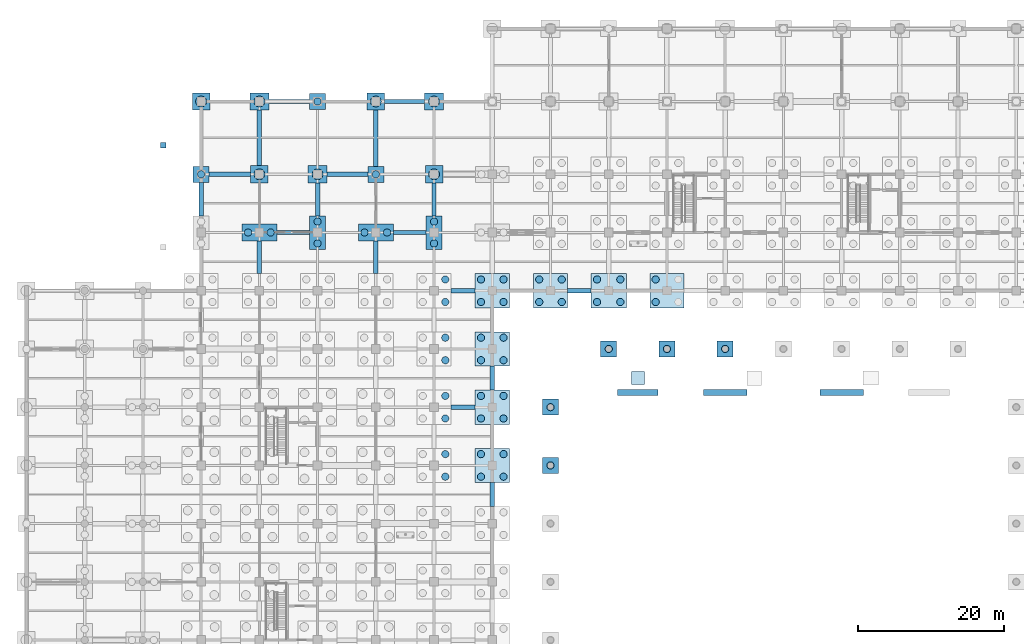
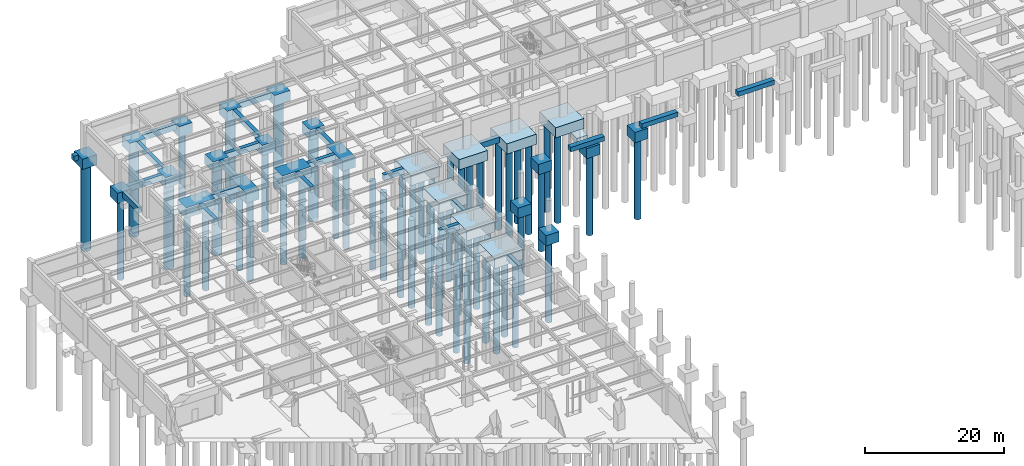
# One storey, part 15 of 97: 57 piles, 49 footings.
"""IFC4 building model written with IfcOpenShell, lengths in metres."""

from ifc_helpers import new_model, si_unit, direction, frame, origin, origin_2d, place, context, subcontext, project, spatial, rectangle, circle, extrude, material, layer, layer_set, material_profile, profile_set, type_object, element, save


model = new_model("IFC4")

# Units and contexts
model_context = context("Model", 3, precision=1e-05, world=origin(), true_north=direction((0.0, 1.0)))
body_context = subcontext(model_context, "Body", "Model", "MODEL_VIEW")
ifc_project = project(units=[si_unit("LENGTHUNIT", "METRE"), si_unit("AREAUNIT", "SQUARE_METRE"), si_unit("VOLUMEUNIT", "CUBIC_METRE"), si_unit("PLANEANGLEUNIT", "RADIAN"), si_unit("MASSUNIT", "GRAM", prefix="KILO")], contexts=[model_context])

# Site, building, storey
site_placement = place(None, origin())
site = spatial("IfcSite", under=ifc_project, at=site_placement, CompositionType="ELEMENT")
building_placement = place(site_placement, origin())
building = spatial("IfcBuilding", under=site, at=building_placement, Name="Haebicheon Civic Stadium", CompositionType="ELEMENT")
storey_placement = place(building_placement, frame((0.0, 0.0, -5.39990234375)))
storey = spatial("IfcBuildingStorey", under=building, at=storey_placement, Name="B1", CompositionType="ELEMENT", Elevation=-5.39990234375)

# Footings
ifc_material_1 = material(Name="Concrete C40/50", Category="concrete")
ifc_layer_1 = layer(ifc_material_1, 1.0, Name="Concrete C40/50")
ifc_layer_set_1 = layer_set([ifc_layer_1], Name="Concrete C40/50")
footing_type_1 = type_object("IfcFootingType", Name="FB-3200x600", PredefinedType="FOOTING_BEAM", material=ifc_layer_set_1)
footing_1_placement = place(storey_placement, frame((75.949951171875, 152.0, -1.0), z_axis=(0.0, 0.0, 1.0), x_axis=(1.0, 0.0, 0.0)))
element("IfcFooting", 1, at=footing_1_placement, inside=storey, type_object=footing_type_1, material=ifc_layer_set_1, Name="Ground tie beam X 09-19", PredefinedType="FOOTING_BEAM", context=body_context, shape_type="SweptSolid", body=[
    extrude(rectangle(XDim=3.199951171875, YDim=0.60009765625, at=origin_2d()), origin(), (0.0, 0.0, 1.0), 1.0),
])
ifc_material_2 = material(Name="Concrete C40/50", Category="concrete")
ifc_layer_2 = layer(ifc_material_2, 1.0, Name="Concrete C40/50")
ifc_layer_set_2 = layer_set([ifc_layer_2], Name="Concrete C40/50")
footing_type_2 = type_object("IfcFootingType", Name="FB-3300x600", PredefinedType="FOOTING_BEAM", material=ifc_layer_set_2)
for number, where, z_axis, x_axis, name in (
    (2, (60.0, 136.0, -1.0), (0.0, 0.0, 1.0), (1.0, 0.0, 0.0), "Ground tie beam X 07-17"),
    (3, (60.0, 152.0, -1.0), (0.0, 0.0, 1.0), (1.0, 0.0, 0.0), "Ground tie beam X 07-19"),
    (4, (64.0, 124.0, -1.0), (0.0, 0.0, 1.0), (0.0, 1.0, 0.0), "Ground tie beam Y 08-15"),
    (5, (64.0, 140.0, -1.0), (0.0, 0.0, 1.0), (0.0, 1.0, 0.0), "Ground tie beam Y 08-17"),
):
    element("IfcFooting", number, at=place(storey_placement, frame(where, z_axis=z_axis, x_axis=x_axis)), inside=storey, type_object=footing_type_2, material=ifc_layer_set_2, Name=name, PredefinedType="FOOTING_BEAM", context=body_context, shape_type="SweptSolid", body=[
        extrude(rectangle(XDim=3.300048828125, YDim=0.60009765625, at=origin_2d()), origin(), (0.0, 0.0, 1.0), 1.0),
    ])
ifc_material_3 = material(Name="Concrete C40/50", Category="concrete")
ifc_layer_3 = layer(ifc_material_3, 1.0, Name="Concrete C40/50")
ifc_layer_set_3 = layer_set([ifc_layer_3], Name="Concrete C40/50")
footing_type_3 = type_object("IfcFootingType", Name="FB-4450x600", PredefinedType="FOOTING_BEAM", material=ifc_layer_set_3)
for number, where, z_axis, x_axis, name in (
    (6, (32.0, 156.574951171875, -1.0), (0.0, 0.0, 1.0), (0.0, 1.0, 0.0), "Ground tie beam Y 04-19"),
    (7, (48.0, 156.574951171875, -1.0), (0.0, 0.0, 1.0), (0.0, 1.0, 0.0), "Ground tie beam Y 06-19"),
):
    element("IfcFooting", number, at=place(storey_placement, frame(where, z_axis=z_axis, x_axis=x_axis)), inside=storey, type_object=footing_type_3, material=ifc_layer_set_3, Name=name, PredefinedType="FOOTING_BEAM", context=body_context, shape_type="SweptSolid", body=[
        extrude(rectangle(XDim=4.449951171875, YDim=0.60009765625, at=origin_2d()), origin(), (0.0, 0.0, 1.0), 1.0),
    ])
ifc_material_4 = material(Name="Concrete C40/50", Category="concrete")
ifc_layer_4 = layer(ifc_material_4, 1.0, Name="Concrete C40/50")
ifc_layer_set_4 = layer_set([ifc_layer_4], Name="Concrete C40/50")
footing_type_4 = type_object("IfcFootingType", Name="FB-4500x600", PredefinedType="FOOTING_BEAM", material=ifc_layer_set_4)
for number, where, z_axis, x_axis, name in (
    (8, (36.64990234375, 160.0, -1.0), (0.0, 0.0, 1.0), (1.0, 0.0, 0.0), "Ground tie beam X 04-20"),
    (9, (40.0, 164.550048828125, -1.0), (0.0, 0.0, 1.0), (0.0, 1.0, 0.0), "Ground tie beam Y 05-20"),
    (10, (52.64990234375, 160.0, -1.0), (0.0, 0.0, 1.0), (1.0, 0.0, 0.0), "Ground tie beam X 06-20"),
    (11, (56.0, 164.550048828125, -1.0), (0.0, 0.0, 1.0), (0.0, 1.0, 0.0), "Ground tie beam Y 07-20"),
):
    element("IfcFooting", number, at=place(storey_placement, frame(where, z_axis=z_axis, x_axis=x_axis)), inside=storey, type_object=footing_type_4, material=ifc_layer_set_4, Name=name, PredefinedType="FOOTING_BEAM", context=body_context, shape_type="SweptSolid", body=[
        extrude(rectangle(XDim=4.5, YDim=0.60009765625, at=origin_2d()), origin(), (0.0, 0.0, 1.0), 1.0),
    ])
ifc_material_5 = material(Name="Concrete C40/50", Category="concrete")
ifc_layer_5 = layer(ifc_material_5, 1.0, Name="Concrete C40/50")
ifc_layer_set_5 = layer_set([ifc_layer_5], Name="Concrete C40/50")
footing_type_5 = type_object("IfcFootingType", Name="FB-4600x600", PredefinedType="FOOTING_BEAM", material=ifc_layer_set_5)
footing_2_placement = place(storey_placement, frame((24.0, 164.60009765625, -1.0), z_axis=(0.0, 0.0, 1.0), x_axis=(0.0, 1.0, 0.0)))
element("IfcFooting", 12, at=footing_2_placement, inside=storey, type_object=footing_type_5, material=ifc_layer_set_5, Name="Ground tie beam Y 03-20", PredefinedType="FOOTING_BEAM", context=body_context, shape_type="SweptSolid", body=[
    extrude(rectangle(XDim=4.60009765625, YDim=0.60009765625, at=origin_2d()), origin(), (0.0, 0.0, 1.0), 1.0),
])
ifc_material_6 = material(Name="Concrete C40/50", Category="concrete")
ifc_layer_6 = layer(ifc_material_6, 1.0, Name="Concrete C40/50")
ifc_layer_set_6 = layer_set([ifc_layer_6], Name="Concrete C40/50")
footing_type_6 = type_object("IfcFootingType", Name="FB-5500x600", PredefinedType="FOOTING_BEAM", material=ifc_layer_set_6)
footing_3_placement = place(storey_placement, frame((51.949951171875, 178.0, -1.0), z_axis=(0.0, 0.0, 1.0), x_axis=(1.0, 0.0, 0.0)))
element("IfcFooting", 13, at=footing_3_placement, inside=storey, type_object=footing_type_6, material=ifc_layer_set_6, Name="Ground tie beam X 06-22", PredefinedType="FOOTING_BEAM", context=body_context, shape_type="SweptSolid", body=[
    extrude(rectangle(XDim=5.5, YDim=0.60009765625, at=origin_2d()), origin(), (0.0, 0.0, 1.0), 1.0),
])
ifc_material_7 = material(Name="Concrete C40/50", Category="concrete")
ifc_layer_7 = layer(ifc_material_7, 1.0, Name="Concrete C40/50")
ifc_layer_set_7 = layer_set([ifc_layer_7], Name="Concrete C40/50")
footing_type_7 = type_object("IfcFootingType", Name="FB-5600x600", PredefinedType="FOOTING_BEAM", material=ifc_layer_set_7)
for number, where, z_axis, x_axis, name in (
    (14, (36.10009765625, 178.0, -1.0), (0.0, 0.0, 1.0), (1.0, 0.0, 0.0), "Ground tie beam X 04-22"),
    (15, (44.10009765625, 168.0, -1.0), (0.0, 0.0, 1.0), (1.0, 0.0, 0.0), "Ground tie beam X 05-21"),
):
    element("IfcFooting", number, at=place(storey_placement, frame(where, z_axis=z_axis, x_axis=x_axis)), inside=storey, type_object=footing_type_7, material=ifc_layer_set_7, Name=name, PredefinedType="FOOTING_BEAM", context=body_context, shape_type="SweptSolid", body=[
        extrude(rectangle(XDim=5.60009765625, YDim=0.60009765625, at=origin_2d()), origin(), (0.0, 0.0, 1.0), 1.0),
    ])
ifc_material_8 = material(Name="Concrete C40/50", Category="concrete")
ifc_layer_8 = layer(ifc_material_8, 1.0, Name="Concrete C40/50")
ifc_layer_set_8 = layer_set([ifc_layer_8], Name="Concrete C40/50")
footing_type_8 = type_object("IfcFootingType", Name="FB-5700x600", PredefinedType="FOOTING_BEAM", material=ifc_layer_set_8)
footing_4_placement = place(storey_placement, frame((27.949951171875, 168.0, -1.0), z_axis=(0.0, 0.0, 1.0), x_axis=(1.0, 0.0, 0.0)))
element("IfcFooting", 16, at=footing_4_placement, inside=storey, type_object=footing_type_8, material=ifc_layer_set_8, Name="Ground tie beam X 03-21", PredefinedType="FOOTING_BEAM", context=body_context, shape_type="SweptSolid", body=[
    extrude(rectangle(XDim=5.699951171875, YDim=0.60009765625, at=origin_2d()), origin(), (0.0, 0.0, 1.0), 1.0),
])
ifc_material_9 = material(Name="Concrete C40/50", Category="concrete")
ifc_layer_9 = layer(ifc_material_9, 1.0, Name="Concrete C40/50")
ifc_layer_set_9 = layer_set([ifc_layer_9], Name="Concrete C40/50")
footing_type_9 = type_object("IfcFootingType", Name="FB-7600x600", PredefinedType="FOOTING_BEAM", material=ifc_layer_set_9)
footing_5_placement = place(storey_placement, frame((32.0, 173.0, -1.0), z_axis=(0.0, 0.0, 1.0), x_axis=(0.0, 1.0, 0.0)))
element("IfcFooting", 17, at=footing_5_placement, inside=storey, type_object=footing_type_9, material=ifc_layer_set_9, Name="Ground tie beam Y 04-21", PredefinedType="FOOTING_BEAM", context=body_context, shape_type="SweptSolid", body=[
    extrude(rectangle(XDim=7.60009765625, YDim=0.60009765625, at=origin_2d()), origin(), (0.0, 0.0, 1.0), 1.0),
])
ifc_material_10 = material(Name="Concrete C40/50", Category="concrete")
ifc_layer_10 = layer(ifc_material_10, 1.0, Name="Concrete C40/50")
ifc_layer_set_10 = layer_set([ifc_layer_10], Name="Concrete C40/50")
footing_type_10 = type_object("IfcFootingType", Name="FB-7700x600", PredefinedType="FOOTING_BEAM", material=ifc_layer_set_10)
footing_6_placement = place(storey_placement, frame((48.0, 172.949951171875, -1.0), z_axis=(0.0, 0.0, 1.0), x_axis=(0.0, 1.0, 0.0)))
element("IfcFooting", 18, at=footing_6_placement, inside=storey, type_object=footing_type_10, material=ifc_layer_set_10, Name="Ground tie beam Y 06-21", PredefinedType="FOOTING_BEAM", context=body_context, shape_type="SweptSolid", body=[
    extrude(rectangle(XDim=7.699951171875, YDim=0.60009765625, at=origin_2d()), origin(), (0.0, 0.0, 1.0), 1.0),
])
ifc_material_11 = material(Name="Concrete C40/50", Category="concrete")
ifc_layer_11 = layer(ifc_material_11, 1.800048828125, Name="Concrete C40/50")
ifc_layer_set_11 = layer_set([ifc_layer_11], Name="Concrete C40/50")
footing_type_11 = type_object("IfcFootingType", Name="PC-1P-2200", PredefinedType="PILE_CAP", material=ifc_layer_set_11)
for number, where, z_axis, x_axis, name in (
    (19, (24.0, 168.0, -1.80029296875), (0.0, 0.0, 1.0), (1.0, 0.0, 0.0), "Pile cap FT-PC-03-21"),
    (20, (40.0, 178.0, -1.80029296875), (0.0, 0.0, 1.0), (1.0, 0.0, 0.0), "Pile cap FT-PC-05-22"),
    (21, (48.0, 168.0, -1.80029296875), (0.0, 0.0, 1.0), (1.0, 0.0, 0.0), "Pile cap FT-PC-06-21"),
    (22, (72.0, 128.0, -1.80029296875), (0.0, 0.0, 1.0), (1.0, 0.0, 0.0), "Bowl pier pile cap FT-BPC-011"),
    (23, (72.0, 136.0, -1.80029296875), (0.0, 0.0, 1.0), (1.0, 0.0, 0.0), "Bowl pier pile cap FT-BPC-012"),
    (24, (80.0, 144.0, -1.80029296875), (0.0, 0.0, 1.0), (1.0, 0.0, 0.0), "Bowl pier pile cap FT-BPC-025"),
    (25, (88.0, 144.0, -1.80029296875), (0.0, 0.0, 1.0), (1.0, 0.0, 0.0), "Bowl pier pile cap FT-BPC-026"),
    (26, (96.0, 144.0, -1.80029296875), (0.0, 0.0, 1.0), (1.0, 0.0, 0.0), "Bowl pier pile cap FT-BPC-027"),
):
    element("IfcFooting", number, at=place(storey_placement, frame(where, z_axis=z_axis, x_axis=x_axis)), inside=storey, type_object=footing_type_11, material=ifc_layer_set_11, Name=name, PredefinedType="PILE_CAP", context=body_context, shape_type="SweptSolid", body=[
        extrude(rectangle(XDim=2.199951171875, YDim=2.199951171875, at=origin_2d()), origin(), (0.0, 0.0, 1.0), 1.800048828125),
    ])
ifc_material_12 = material(Name="Concrete C40/50", Category="concrete")
ifc_layer_12 = layer(ifc_material_12, 1.800048828125, Name="Concrete C40/50")
ifc_layer_set_12 = layer_set([ifc_layer_12], Name="Concrete C40/50")
footing_type_12 = type_object("IfcFootingType", Name="PC-1P-2400", PredefinedType="PILE_CAP", material=ifc_layer_set_12)
for number, where, z_axis, x_axis, name in (
    (27, (24.0, 178.0, -1.80029296875), (0.0, 0.0, 1.0), (1.0, 0.0, 0.0), "Pile cap FT-PC-03-22"),
    (28, (32.0, 168.0, -1.80029296875), (0.0, 0.0, 1.0), (1.0, 0.0, 0.0), "Pile cap FT-PC-04-21"),
    (29, (48.0, 178.0, -1.80029296875), (0.0, 0.0, 1.0), (1.0, 0.0, 0.0), "Pile cap FT-PC-06-22"),
    (30, (56.0, 168.0, -1.80029296875), (0.0, 0.0, 1.0), (1.0, 0.0, 0.0), "Pile cap FT-PC-07-21"),
):
    element("IfcFooting", number, at=place(storey_placement, frame(where, z_axis=z_axis, x_axis=x_axis)), inside=storey, type_object=footing_type_12, material=ifc_layer_set_12, Name=name, PredefinedType="PILE_CAP", context=body_context, shape_type="SweptSolid", body=[
        extrude(rectangle(XDim=2.39990234375, YDim=2.39990234375, at=origin_2d()), origin(), (0.0, 0.0, 1.0), 1.800048828125),
    ])
ifc_material_13 = material(Name="Concrete C40/50", Category="concrete")
ifc_layer_13 = layer(ifc_material_13, 1.800048828125, Name="Concrete C40/50")
ifc_layer_set_13 = layer_set([ifc_layer_13], Name="Concrete C40/50")
footing_type_13 = type_object("IfcFootingType", Name="PC-1P-2600", PredefinedType="PILE_CAP", material=ifc_layer_set_13)
for number, where, z_axis, x_axis, name in (
    (31, (32.0, 178.0, -1.80029296875), (0.0, 0.0, 1.0), (1.0, 0.0, 0.0), "Pile cap FT-PC-04-22"),
    (32, (40.0, 168.0, -1.80029296875), (0.0, 0.0, 1.0), (1.0, 0.0, 0.0), "Pile cap FT-PC-05-21"),
    (33, (56.0, 178.0, -1.80029296875), (0.0, 0.0, 1.0), (1.0, 0.0, 0.0), "Pile cap FT-PC-07-22"),
):
    element("IfcFooting", number, at=place(storey_placement, frame(where, z_axis=z_axis, x_axis=x_axis)), inside=storey, type_object=footing_type_13, material=ifc_layer_set_13, Name=name, PredefinedType="PILE_CAP", context=body_context, shape_type="SweptSolid", body=[
        extrude(rectangle(XDim=2.60009765625, YDim=2.39990234375, at=origin_2d()), origin(), (0.0, 0.0, 1.0), 1.800048828125),
    ])
ifc_material_14 = material(Name="Concrete C40/50", Category="concrete")
ifc_layer_14 = layer(ifc_material_14, 1.800048828125, Name="Concrete C40/50")
ifc_layer_set_14 = layer_set([ifc_layer_14], Name="Concrete C40/50")
footing_type_14 = type_object("IfcFootingType", Name="PC-2P-2200", PredefinedType="PILE_CAP", material=ifc_layer_set_14)
for number, where, z_axis, x_axis, name in (
    (34, (40.0, 160.0, -1.80029296875), (0.0, 0.0, 1.0), (1.0, 0.0, 0.0), "Pile cap FT-PC-05-20"),
    (35, (56.0, 160.0, -1.80029296875), (0.0, 0.0, 1.0), (1.0, 0.0, 0.0), "Pile cap FT-PC-07-20"),
):
    element("IfcFooting", number, at=place(storey_placement, frame(where, z_axis=z_axis, x_axis=x_axis)), inside=storey, type_object=footing_type_14, material=ifc_layer_set_14, Name=name, PredefinedType="PILE_CAP", context=body_context, shape_type="SweptSolid", body=[
        extrude(rectangle(XDim=2.199951171875, YDim=4.60009765625, at=origin_2d()), origin(), (0.0, 0.0, 1.0), 1.800048828125),
    ])
ifc_material_15 = material(Name="Concrete C40/50", Category="concrete")
ifc_layer_15 = layer(ifc_material_15, 1.800048828125, Name="Concrete C40/50")
ifc_layer_set_15 = layer_set([ifc_layer_15], Name="Concrete C40/50")
footing_type_15 = type_object("IfcFootingType", Name="PC-2P-4800", PredefinedType="PILE_CAP", material=ifc_layer_set_15)
for number, where, z_axis, x_axis, name in (
    (36, (32.0, 160.0, -1.80029296875), (0.0, 0.0, 1.0), (1.0, 0.0, 0.0), "Pile cap FT-PC-04-20"),
    (37, (48.0, 160.0, -1.80029296875), (0.0, 0.0, 1.0), (1.0, 0.0, 0.0), "Pile cap FT-PC-06-20"),
):
    element("IfcFooting", number, at=place(storey_placement, frame(where, z_axis=z_axis, x_axis=x_axis)), inside=storey, type_object=footing_type_15, material=ifc_layer_set_15, Name=name, PredefinedType="PILE_CAP", context=body_context, shape_type="SweptSolid", body=[
        extrude(rectangle(XDim=4.800048828125, YDim=2.39990234375, at=origin_2d()), origin(), (0.0, 0.0, 1.0), 1.800048828125),
    ])
ifc_material_16 = material(Name="Concrete C40/50", Category="concrete")
ifc_layer_16 = layer(ifc_material_16, 1.800048828125, Name="Concrete C40/50")
ifc_layer_set_16 = layer_set([ifc_layer_16], Name="Concrete C40/50")
footing_type_16 = type_object("IfcFootingType", Name="PC-4P-4700", PredefinedType="PILE_CAP", material=ifc_layer_set_16)
for number, where, z_axis, x_axis, name in (
    (38, (64.0, 128.0, -1.80029296875), (0.0, 0.0, 1.0), (1.0, 0.0, 0.0), "Pile cap FT-PC-08-16"),
    (39, (64.0, 136.0, -1.80029296875), (0.0, 0.0, 1.0), (1.0, 0.0, 0.0), "Pile cap FT-PC-08-17"),
    (40, (64.0, 144.0, -1.80029296875), (0.0, 0.0, 1.0), (1.0, 0.0, 0.0), "Pile cap FT-PC-08-18"),
    (41, (64.0, 152.0, -1.80029296875), (0.0, 0.0, 1.0), (1.0, 0.0, 0.0), "Pile cap FT-PC-08-19"),
    (42, (72.0, 152.0, -1.80029296875), (0.0, 0.0, 1.0), (1.0, 0.0, 0.0), "Pile cap FT-PC-09-19"),
    (43, (88.0, 152.0, -1.80029296875), (0.0, 0.0, 1.0), (1.0, 0.0, 0.0), "Pile cap FT-PC-11-19"),
):
    element("IfcFooting", number, at=place(storey_placement, frame(where, z_axis=z_axis, x_axis=x_axis)), inside=storey, type_object=footing_type_16, material=ifc_layer_set_16, Name=name, PredefinedType="PILE_CAP", context=body_context, shape_type="SweptSolid", body=[
        extrude(rectangle(XDim=4.699951171875, YDim=4.699951171875, at=origin_2d()), origin(), (0.0, 0.0, 1.0), 1.800048828125),
    ])
ifc_material_17 = material(Name="Concrete C40/50", Category="concrete")
ifc_layer_17 = layer(ifc_material_17, 1.800048828125, Name="Concrete C40/50")
ifc_layer_set_17 = layer_set([ifc_layer_17], Name="Concrete C40/50")
footing_type_17 = type_object("IfcFootingType", Name="PC-4P-4900", PredefinedType="PILE_CAP", material=ifc_layer_set_17)
footing_7_placement = place(storey_placement, frame((80.0, 152.0, -1.80029296875), z_axis=(0.0, 0.0, 1.0), x_axis=(1.0, 0.0, 0.0)))
element("IfcFooting", 44, at=footing_7_placement, inside=storey, type_object=footing_type_17, material=ifc_layer_set_17, Name="Pile cap FT-PC-10-19", PredefinedType="PILE_CAP", context=body_context, shape_type="SweptSolid", body=[
    extrude(rectangle(XDim=4.89990234375, YDim=4.699951171875, at=origin_2d()), origin(), (0.0, 0.0, 1.0), 1.800048828125),
])
ifc_material_18 = material(Name="Concrete C35/45", Category="concrete")
ifc_layer_18 = layer(ifc_material_18, 0.89990234375, Name="Concrete C35/45")
ifc_layer_set_18 = layer_set([ifc_layer_18], Name="Concrete C35/45")
footing_type_18 = type_object("IfcFootingType", Name="PF-1800", PredefinedType="PAD_FOOTING", material=ifc_layer_set_18)
footing_8_placement = place(storey_placement, frame((84.0, 140.0, 4.5), z_axis=(0.0, 0.0, 1.0), x_axis=(1.0, 0.0, 0.0)))
element("IfcFooting", 45, at=footing_8_placement, inside=storey, type_object=footing_type_18, material=ifc_layer_set_18, Name="Floodlight/scoreboard pad footing 04", PredefinedType="PAD_FOOTING", context=body_context, shape_type="SweptSolid", body=[
    extrude(rectangle(XDim=1.800048828125, YDim=1.800048828125, at=origin_2d()), origin(), (0.0, 0.0, 1.0), 0.89990234375),
])
ifc_material_19 = material(Name="Concrete C35/45", Category="concrete")
ifc_layer_19 = layer(ifc_material_19, 0.89990234375, Name="Concrete C35/45")
ifc_layer_set_19 = layer_set([ifc_layer_19], Name="Concrete C35/45")
footing_type_19 = type_object("IfcFootingType", Name="PF-750", PredefinedType="PAD_FOOTING", material=ifc_layer_set_19)
footing_9_placement = place(storey_placement, frame((18.800048828125, 172.0, 4.300048828125), z_axis=(0.0, 0.0, 1.0), x_axis=(1.0, 0.0, 0.0)))
element("IfcFooting", 46, at=footing_9_placement, inside=storey, type_object=footing_type_19, material=ifc_layer_set_19, Name="Exterior plaza apron pad footing APR-WN-2", PredefinedType="PAD_FOOTING", context=body_context, shape_type="SweptSolid", body=[
    extrude(rectangle(XDim=0.75, YDim=0.75, at=origin_2d()), origin(), (0.0, 0.0, 1.0), 0.89990234375),
])

# Piles
ifc_material_20 = material(Name="Concrete C40/50", Category="concrete")
ifc_material_profile_1 = material_profile(ifc_material_20, circle(Radius=0.5, at=origin_2d()), Name="PILE-D1000")
ifc_profile_set_1 = profile_set([ifc_material_profile_1], Name="Concrete C40/50")
pile_type_1 = type_object("IfcPileType", Name="PL-D1000", PredefinedType="BORED", material=ifc_profile_set_1)
pile_1_placement = place(storey_placement, frame((24.0, 168.0, -1.7001953125), z_axis=(0.0, 0.0, -1.0), x_axis=(1.0, 0.0, 0.0)))
element("IfcPile", 47, at=pile_1_placement, inside=storey, type_object=pile_type_1, material=ifc_profile_set_1, Name="Bored pile 03-21-1", PredefinedType="BORED", context=body_context, shape_type="SweptSolid", body=[
    extrude(circle(Radius=0.5, at=origin_2d()), origin(), (0.0, 0.0, 1.0), 14.300048828125),
])
for number, where, z_axis, x_axis, name in (
    (48, (30.449951171875, 160.0, -1.7001953125), (0.0, 0.0, -1.0), (1.0, 0.0, 0.0), "Bored pile 04-20-1"),
    (49, (33.550048828125, 160.0, -1.7001953125), (0.0, 0.0, -1.0), (1.0, 0.0, 0.0), "Bored pile 04-20-2"),
):
    element("IfcPile", number, at=place(storey_placement, frame(where, z_axis=z_axis, x_axis=x_axis)), inside=storey, type_object=pile_type_1, material=ifc_profile_set_1, Name=name, PredefinedType="BORED", context=body_context, shape_type="SweptSolid", body=[
        extrude(circle(Radius=0.5, at=origin_2d()), origin(), (0.0, 0.0, 1.0), 14.60009765625),
    ])
for number, where, z_axis, x_axis, name in (
    (50, (40.0, 158.5, -1.7001953125), (0.0, 0.0, -1.0), (1.0, 0.0, 0.0), "Bored pile 05-20-1"),
    (51, (40.0, 161.5, -1.7001953125), (0.0, 0.0, -1.0), (1.0, 0.0, 0.0), "Bored pile 05-20-2"),
    (52, (40.0, 178.0, -1.7001953125), (0.0, 0.0, -1.0), (1.0, 0.0, 0.0), "Bored pile 05-22-1"),
):
    element("IfcPile", number, at=place(storey_placement, frame(where, z_axis=z_axis, x_axis=x_axis)), inside=storey, type_object=pile_type_1, material=ifc_profile_set_1, Name=name, PredefinedType="BORED", context=body_context, shape_type="SweptSolid", body=[
        extrude(circle(Radius=0.5, at=origin_2d()), origin(), (0.0, 0.0, 1.0), 14.300048828125),
    ])
for number, where, z_axis, x_axis, name in (
    (53, (46.449951171875, 160.0, -1.7001953125), (0.0, 0.0, -1.0), (1.0, 0.0, 0.0), "Bored pile 06-20-1"),
    (54, (49.550048828125, 160.0, -1.7001953125), (0.0, 0.0, -1.0), (1.0, 0.0, 0.0), "Bored pile 06-20-2"),
):
    element("IfcPile", number, at=place(storey_placement, frame(where, z_axis=z_axis, x_axis=x_axis)), inside=storey, type_object=pile_type_1, material=ifc_profile_set_1, Name=name, PredefinedType="BORED", context=body_context, shape_type="SweptSolid", body=[
        extrude(circle(Radius=0.5, at=origin_2d()), origin(), (0.0, 0.0, 1.0), 14.60009765625),
    ])
pile_2_placement = place(storey_placement, frame((48.0, 168.0, -1.7001953125), z_axis=(0.0, 0.0, -1.0), x_axis=(1.0, 0.0, 0.0)))
element("IfcPile", 55, at=pile_2_placement, inside=storey, type_object=pile_type_1, material=ifc_profile_set_1, Name="Bored pile 06-21-1", PredefinedType="BORED", context=body_context, shape_type="SweptSolid", body=[
    extrude(circle(Radius=0.5, at=origin_2d()), origin(), (0.0, 0.0, 1.0), 14.300048828125),
])
for number, where, z_axis, x_axis, name in (
    (56, (57.550048828125, 126.449951171875, -1.7001953125), (0.0, 0.0, -1.0), (1.0, 0.0, 0.0), "Bored pile 07-16-2"),
    (57, (57.550048828125, 129.550048828125, -1.7001953125), (0.0, 0.0, -1.0), (1.0, 0.0, 0.0), "Bored pile 07-16-4"),
    (58, (57.550048828125, 134.449951171875, -1.7001953125), (0.0, 0.0, -1.0), (1.0, 0.0, 0.0), "Bored pile 07-17-2"),
    (59, (57.550048828125, 137.550048828125, -1.7001953125), (0.0, 0.0, -1.0), (1.0, 0.0, 0.0), "Bored pile 07-17-4"),
    (60, (57.550048828125, 142.449951171875, -1.7001953125), (0.0, 0.0, -1.0), (1.0, 0.0, 0.0), "Bored pile 07-18-2"),
    (61, (57.550048828125, 145.550048828125, -1.7001953125), (0.0, 0.0, -1.0), (1.0, 0.0, 0.0), "Bored pile 07-18-4"),
    (62, (57.550048828125, 150.449951171875, -1.7001953125), (0.0, 0.0, -1.0), (1.0, 0.0, 0.0), "Bored pile 07-19-2"),
    (63, (57.550048828125, 153.550048828125, -1.7001953125), (0.0, 0.0, -1.0), (1.0, 0.0, 0.0), "Bored pile 07-19-4"),
):
    element("IfcPile", number, at=place(storey_placement, frame(where, z_axis=z_axis, x_axis=x_axis)), inside=storey, type_object=pile_type_1, material=ifc_profile_set_1, Name=name, PredefinedType="BORED", context=body_context, shape_type="SweptSolid", body=[
        extrude(circle(Radius=0.5, at=origin_2d()), origin(), (0.0, 0.0, 1.0), 15.5),
    ])
for number, where, z_axis, x_axis, name in (
    (64, (56.0, 158.5, -1.7001953125), (0.0, 0.0, -1.0), (1.0, 0.0, 0.0), "Bored pile 07-20-1"),
    (65, (56.0, 161.5, -1.7001953125), (0.0, 0.0, -1.0), (1.0, 0.0, 0.0), "Bored pile 07-20-2"),
):
    element("IfcPile", number, at=place(storey_placement, frame(where, z_axis=z_axis, x_axis=x_axis)), inside=storey, type_object=pile_type_1, material=ifc_profile_set_1, Name=name, PredefinedType="BORED", context=body_context, shape_type="SweptSolid", body=[
        extrude(circle(Radius=0.5, at=origin_2d()), origin(), (0.0, 0.0, 1.0), 14.300048828125),
    ])
for number, where, z_axis, x_axis, name in (
    (66, (62.449951171875, 126.449951171875, -1.7001953125), (0.0, 0.0, -1.0), (1.0, 0.0, 0.0), "Bored pile 08-16-1"),
    (67, (65.550048828125, 126.449951171875, -1.7001953125), (0.0, 0.0, -1.0), (1.0, 0.0, 0.0), "Bored pile 08-16-2"),
    (68, (62.449951171875, 129.550048828125, -1.7001953125), (0.0, 0.0, -1.0), (1.0, 0.0, 0.0), "Bored pile 08-16-3"),
    (69, (65.550048828125, 129.550048828125, -1.7001953125), (0.0, 0.0, -1.0), (1.0, 0.0, 0.0), "Bored pile 08-16-4"),
    (70, (62.449951171875, 134.449951171875, -1.7001953125), (0.0, 0.0, -1.0), (1.0, 0.0, 0.0), "Bored pile 08-17-1"),
    (71, (65.550048828125, 134.449951171875, -1.7001953125), (0.0, 0.0, -1.0), (1.0, 0.0, 0.0), "Bored pile 08-17-2"),
    (72, (62.449951171875, 137.550048828125, -1.7001953125), (0.0, 0.0, -1.0), (1.0, 0.0, 0.0), "Bored pile 08-17-3"),
    (73, (65.550048828125, 137.550048828125, -1.7001953125), (0.0, 0.0, -1.0), (1.0, 0.0, 0.0), "Bored pile 08-17-4"),
    (74, (62.449951171875, 142.449951171875, -1.7001953125), (0.0, 0.0, -1.0), (1.0, 0.0, 0.0), "Bored pile 08-18-1"),
    (75, (65.550048828125, 142.449951171875, -1.7001953125), (0.0, 0.0, -1.0), (1.0, 0.0, 0.0), "Bored pile 08-18-2"),
    (76, (62.449951171875, 145.550048828125, -1.7001953125), (0.0, 0.0, -1.0), (1.0, 0.0, 0.0), "Bored pile 08-18-3"),
    (77, (65.550048828125, 145.550048828125, -1.7001953125), (0.0, 0.0, -1.0), (1.0, 0.0, 0.0), "Bored pile 08-18-4"),
    (78, (62.449951171875, 150.449951171875, -1.7001953125), (0.0, 0.0, -1.0), (1.0, 0.0, 0.0), "Bored pile 08-19-1"),
    (79, (65.550048828125, 150.449951171875, -1.7001953125), (0.0, 0.0, -1.0), (1.0, 0.0, 0.0), "Bored pile 08-19-2"),
    (80, (62.449951171875, 153.550048828125, -1.7001953125), (0.0, 0.0, -1.0), (1.0, 0.0, 0.0), "Bored pile 08-19-3"),
    (81, (65.550048828125, 153.550048828125, -1.7001953125), (0.0, 0.0, -1.0), (1.0, 0.0, 0.0), "Bored pile 08-19-4"),
    (82, (70.449951171875, 150.449951171875, -1.7001953125), (0.0, 0.0, -1.0), (1.0, 0.0, 0.0), "Bored pile 09-19-1"),
    (83, (73.550048828125, 150.449951171875, -1.7001953125), (0.0, 0.0, -1.0), (1.0, 0.0, 0.0), "Bored pile 09-19-2"),
    (84, (70.449951171875, 153.550048828125, -1.7001953125), (0.0, 0.0, -1.0), (1.0, 0.0, 0.0), "Bored pile 09-19-3"),
    (85, (73.550048828125, 153.550048828125, -1.7001953125), (0.0, 0.0, -1.0), (1.0, 0.0, 0.0), "Bored pile 09-19-4"),
):
    element("IfcPile", number, at=place(storey_placement, frame(where, z_axis=z_axis, x_axis=x_axis)), inside=storey, type_object=pile_type_1, material=ifc_profile_set_1, Name=name, PredefinedType="BORED", context=body_context, shape_type="SweptSolid", body=[
        extrude(circle(Radius=0.5, at=origin_2d()), origin(), (0.0, 0.0, 1.0), 15.5),
    ])
for number, where, z_axis, x_axis, name in (
    (86, (78.39990234375, 150.449951171875, -1.7001953125), (0.0, 0.0, -1.0), (1.0, 0.0, 0.0), "Bored pile 10-19-1"),
    (87, (81.60009765625, 150.449951171875, -1.7001953125), (0.0, 0.0, -1.0), (1.0, 0.0, 0.0), "Bored pile 10-19-2"),
    (88, (78.39990234375, 153.550048828125, -1.7001953125), (0.0, 0.0, -1.0), (1.0, 0.0, 0.0), "Bored pile 10-19-3"),
    (89, (81.60009765625, 153.550048828125, -1.7001953125), (0.0, 0.0, -1.0), (1.0, 0.0, 0.0), "Bored pile 10-19-4"),
):
    element("IfcPile", number, at=place(storey_placement, frame(where, z_axis=z_axis, x_axis=x_axis)), inside=storey, type_object=pile_type_1, material=ifc_profile_set_1, Name=name, PredefinedType="BORED", context=body_context, shape_type="SweptSolid", body=[
        extrude(circle(Radius=0.5, at=origin_2d()), origin(), (0.0, 0.0, 1.0), 15.800048828125),
    ])
for number, where, z_axis, x_axis, name in (
    (90, (86.449951171875, 150.449951171875, -1.7001953125), (0.0, 0.0, -1.0), (1.0, 0.0, 0.0), "Bored pile 11-19-1"),
    (91, (86.449951171875, 153.550048828125, -1.7001953125), (0.0, 0.0, -1.0), (1.0, 0.0, 0.0), "Bored pile 11-19-3"),
):
    element("IfcPile", number, at=place(storey_placement, frame(where, z_axis=z_axis, x_axis=x_axis)), inside=storey, type_object=pile_type_1, material=ifc_profile_set_1, Name=name, PredefinedType="BORED", context=body_context, shape_type="SweptSolid", body=[
        extrude(circle(Radius=0.5, at=origin_2d()), origin(), (0.0, 0.0, 1.0), 15.5),
    ])
for number, where, z_axis, x_axis, name in (
    (92, (72.0, 128.0, -1.7001953125), (0.0, 0.0, -1.0), (1.0, 0.0, 0.0), "Bowl pier bored pile 011"),
    (93, (72.0, 136.0, -1.7001953125), (0.0, 0.0, -1.0), (1.0, 0.0, 0.0), "Bowl pier bored pile 012"),
    (94, (80.0, 144.0, -1.7001953125), (0.0, 0.0, -1.0), (1.0, 0.0, 0.0), "Bowl pier bored pile 025"),
    (95, (88.0, 144.0, -1.7001953125), (0.0, 0.0, -1.0), (1.0, 0.0, 0.0), "Bowl pier bored pile 026"),
    (96, (96.0, 144.0, -1.7001953125), (0.0, 0.0, -1.0), (1.0, 0.0, 0.0), "Bowl pier bored pile 027"),
):
    element("IfcPile", number, at=place(storey_placement, frame(where, z_axis=z_axis, x_axis=x_axis)), inside=storey, type_object=pile_type_1, material=ifc_profile_set_1, Name=name, PredefinedType="BORED", context=body_context, shape_type="SweptSolid", body=[
        extrude(circle(Radius=0.5, at=origin_2d()), origin(), (0.0, 0.0, 1.0), 14.300048828125),
    ])
ifc_material_21 = material(Name="Concrete C40/50", Category="concrete")
ifc_material_profile_2 = material_profile(ifc_material_21, circle(Radius=0.75, at=origin_2d()), Name="PILE-D1500")
ifc_profile_set_2 = profile_set([ifc_material_profile_2], Name="Concrete C40/50")
pile_type_2 = type_object("IfcPileType", Name="PL-D1500", PredefinedType="BORED", material=ifc_profile_set_2)
for number, where, z_axis, x_axis, name in (
    (97, (24.0, 178.0, -1.7001953125), (0.0, 0.0, -1.0), (1.0, 0.0, 0.0), "Bored pile 03-22-1"),
    (98, (32.0, 168.0, -1.7001953125), (0.0, 0.0, -1.0), (1.0, 0.0, 0.0), "Bored pile 04-21-1"),
):
    element("IfcPile", number, at=place(storey_placement, frame(where, z_axis=z_axis, x_axis=x_axis)), inside=storey, type_object=pile_type_2, material=ifc_profile_set_2, Name=name, PredefinedType="BORED", context=body_context, shape_type="SweptSolid", body=[
        extrude(circle(Radius=0.75, at=origin_2d()), origin(), (0.0, 0.0, 1.0), 15.10009765625),
    ])
for number, where, z_axis, x_axis, name in (
    (99, (32.0, 178.0, -1.7001953125), (0.0, 0.0, -1.0), (1.0, 0.0, 0.0), "Bored pile 04-22-1"),
    (100, (40.0, 168.0, -1.7001953125), (0.0, 0.0, -1.0), (1.0, 0.0, 0.0), "Bored pile 05-21-1"),
):
    element("IfcPile", number, at=place(storey_placement, frame(where, z_axis=z_axis, x_axis=x_axis)), inside=storey, type_object=pile_type_2, material=ifc_profile_set_2, Name=name, PredefinedType="BORED", context=body_context, shape_type="SweptSolid", body=[
        extrude(circle(Radius=0.75, at=origin_2d()), origin(), (0.0, 0.0, 1.0), 15.39990234375),
    ])
for number, where, z_axis, x_axis, name in (
    (101, (48.0, 178.0, -1.7001953125), (0.0, 0.0, -1.0), (1.0, 0.0, 0.0), "Bored pile 06-22-1"),
    (102, (56.0, 168.0, -1.7001953125), (0.0, 0.0, -1.0), (1.0, 0.0, 0.0), "Bored pile 07-21-1"),
):
    element("IfcPile", number, at=place(storey_placement, frame(where, z_axis=z_axis, x_axis=x_axis)), inside=storey, type_object=pile_type_2, material=ifc_profile_set_2, Name=name, PredefinedType="BORED", context=body_context, shape_type="SweptSolid", body=[
        extrude(circle(Radius=0.75, at=origin_2d()), origin(), (0.0, 0.0, 1.0), 15.10009765625),
    ])
pile_3_placement = place(storey_placement, frame((56.0, 178.0, -1.7001953125), z_axis=(0.0, 0.0, -1.0), x_axis=(1.0, 0.0, 0.0)))
element("IfcPile", 103, at=pile_3_placement, inside=storey, type_object=pile_type_2, material=ifc_profile_set_2, Name="Bored pile 07-22-1", PredefinedType="BORED", context=body_context, shape_type="SweptSolid", body=[
    extrude(circle(Radius=0.75, at=origin_2d()), origin(), (0.0, 0.0, 1.0), 15.39990234375),
])

# Footings
ifc_material_22 = material(Name="Concrete C35/45", Category="concrete")
ifc_layer_20 = layer(ifc_material_22, 0.800048828125, Name="Concrete C35/45")
ifc_layer_set_20 = layer_set([ifc_layer_20], Name="Concrete C35/45")
footing_type_20 = type_object("IfcFootingType", Name="SF-5600x800", PredefinedType="STRIP_FOOTING", material=ifc_layer_set_20)
footing_10_placement = place(storey_placement, frame((84.0, 138.0, 4.60009765625), z_axis=(0.0, 0.0, 1.0), x_axis=(1.0, 0.0, 0.0)))
element("IfcFooting", 104, at=footing_10_placement, inside=storey, type_object=footing_type_20, material=ifc_layer_set_20, Name="Pitch kerb strip footing 2.1", PredefinedType="STRIP_FOOTING", context=body_context, shape_type="SweptSolid", body=[
    extrude(rectangle(XDim=5.60009765625, YDim=0.800048828125, at=origin_2d()), origin(), (0.0, 0.0, 1.0), 0.800048828125),
])
ifc_material_23 = material(Name="Concrete C35/45", Category="concrete")
ifc_layer_21 = layer(ifc_material_23, 0.800048828125, Name="Concrete C35/45")
ifc_layer_set_21 = layer_set([ifc_layer_21], Name="Concrete C35/45")
footing_type_21 = type_object("IfcFootingType", Name="SF-6000x800", PredefinedType="STRIP_FOOTING", material=ifc_layer_set_21)
for number, where, z_axis, x_axis, name in (
    (105, (96.0, 138.0, 4.60009765625), (0.0, 0.0, 1.0), (1.0, 0.0, 0.0), "Pitch kerb strip footing 2.2"),
    (106, (112.0, 138.0, 4.60009765625), (0.0, 0.0, 1.0), (1.0, 0.0, 0.0), "Pitch kerb strip footing 2.3"),
):
    element("IfcFooting", number, at=place(storey_placement, frame(where, z_axis=z_axis, x_axis=x_axis)), inside=storey, type_object=footing_type_21, material=ifc_layer_set_21, Name=name, PredefinedType="STRIP_FOOTING", context=body_context, shape_type="SweptSolid", body=[
        extrude(rectangle(XDim=6.0, YDim=0.800048828125, at=origin_2d()), origin(), (0.0, 0.0, 1.0), 0.800048828125),
    ])

save(model, "model.ifc")
